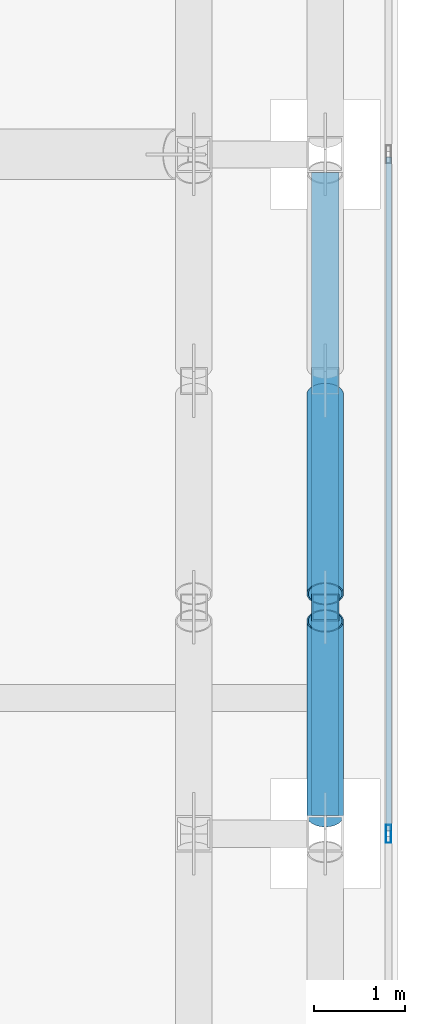
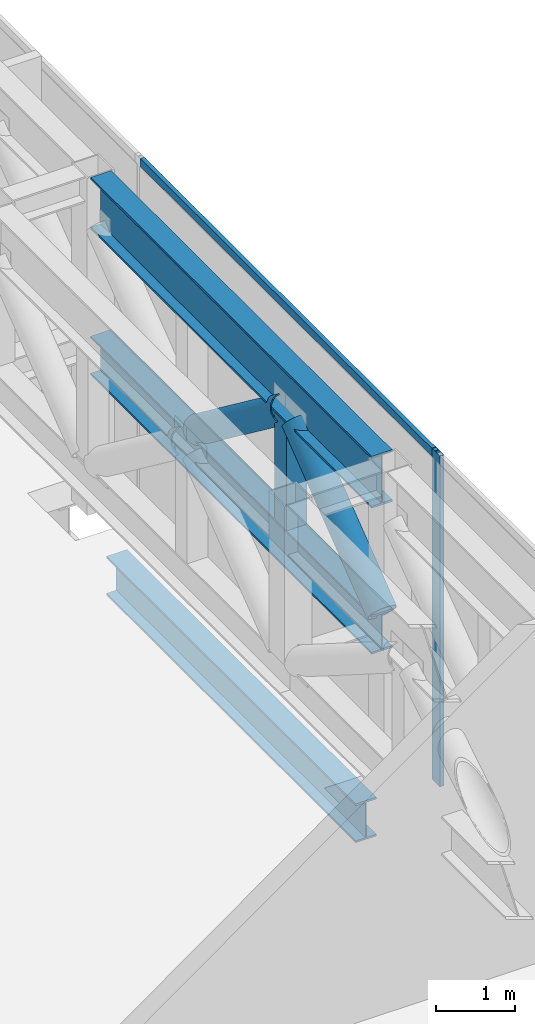
# One storey, part 12 of 39: 7 members, 1 beam, 1 element without a shape of its own.
"""IFC4 building model written with IfcOpenShell, lengths in metres."""

from ifc_helpers import new_model, si_unit, direction, frame, origin, origin_2d, place, context, subcontext, project, spatial, hollow_rectangle, hollow_circle, i_section, extrude, source, transform, mapped, material, material_profile, profile_set, type_object, element, aggregate, save


model = new_model("IFC4")

# Units and contexts
model_context = context("Model", 3, precision=1e-05, world=origin(), true_north=direction((0.0, 1.0)))
body_context = subcontext(model_context, "Body", "Model", "MODEL_VIEW")
ifc_project = project(units=[si_unit("LENGTHUNIT", "METRE"), si_unit("AREAUNIT", "SQUARE_METRE"), si_unit("VOLUMEUNIT", "CUBIC_METRE"), si_unit("PLANEANGLEUNIT", "RADIAN"), si_unit("MASSUNIT", "GRAM", prefix="KILO")], contexts=[model_context])

# Site, building, storey
site_placement = place(None, origin())
site = spatial("IfcSite", under=ifc_project, at=site_placement, CompositionType="ELEMENT")
building_placement = place(site_placement, origin())
building = spatial("IfcBuilding", under=site, at=building_placement, Name="Khomas Fold Tower", CompositionType="ELEMENT")
storey_placement = place(building_placement, frame((0.0, 0.0, 96.0)))
storey = spatial("IfcBuildingStorey", under=building, at=storey_placement, Name="L20", CompositionType="ELEMENT", Elevation=96.0)

# Beam
ifc_material_1 = material(Name="Steel S355", Category="steel")
ifc_material_profile_1 = material_profile(ifc_material_1, i_section(OverallWidth=0.300048828125, OverallDepth=0.60009765625, WebThickness=0.015380859375, FlangeThickness=0.030029296875, at=origin_2d()), Name="HE 600 B")
ifc_profile_set_1 = profile_set([ifc_material_profile_1], Name="Steel S355")
beam_type = type_object("IfcBeamType", Name="HE 600 B spandrel SB1", PredefinedType="SPANDREL", material=ifc_profile_set_1)
shared_shape_1 = source(origin(), body_context, "Body", "SweptSolid", [
    extrude(i_section(OverallWidth=0.300048828125, OverallDepth=0.60009765625, WebThickness=0.015380859375, FlangeThickness=0.030029296875, at=origin_2d()), origin(), (0.0, 0.0, 1.0), 6.2998046875),
])
beam_placement = place(storey_placement, frame((53.199951171875, 12.60009765625, -0.699951171875), z_axis=(0.0, 1.0, 0.0), x_axis=(-1.0, 0.0, 0.0)))
element("IfcBeam", 1, at=beam_placement, inside=storey, type_object=beam_type, Name="SB1", PredefinedType="SPANDREL", context=body_context, shape_type="MappedRepresentation", body=[
    mapped(shared_shape_1, transform((0.0, 0.0, 0.0))),
])

# Members
ifc_material_2 = material(Name="Steel S355", Category="steel")
ifc_material_profile_2 = material_profile(ifc_material_2, hollow_rectangle(XDim=0.300048828125, YDim=0.300048828125, WallThickness=0.01611328125, at=origin_2d()), Name="SHS 300x300x16")
ifc_profile_set_2 = profile_set([ifc_material_profile_2], Name="Steel S355")
member_type_1 = type_object("IfcMemberType", Name="BELT TRUSS 1 MID POST SHS 300x300x16", PredefinedType="POST", material=ifc_profile_set_2)
shared_shape_2 = source(origin(), body_context, "Body", "SweptSolid", [
    extrude(hollow_rectangle(XDim=0.300048828125, YDim=0.300048828125, WallThickness=0.01611328125, at=origin_2d()), origin(), (0.0, 0.0, 1.0), 1.64990234375),
])
member_1_placement = place(storey_placement, frame((53.199951171875, 14.5, 2.75), z_axis=(0.0, 0.0, 1.0), x_axis=(1.0, 0.0, 0.0)))
element("IfcMember", 2, at=member_1_placement, inside=storey, type_object=member_type_1, Name="BT1-M", PredefinedType="POST", context=body_context, shape_type="MappedRepresentation", body=[
    mapped(shared_shape_2, transform((0.0, 0.0, 0.0))),
])
ifc_material_3 = material(Name="Steel S460M", Category="steel")
ifc_material_profile_3 = material_profile(ifc_material_3, i_section(OverallWidth=0.300048828125, OverallDepth=0.800048828125, WebThickness=0.017578125, FlangeThickness=0.032958984375, at=origin_2d()), Name="HE 800 B")
ifc_profile_set_3 = profile_set([ifc_material_profile_3], Name="Steel S460M")
member_type_2 = type_object("IfcMemberType", Name="BELT TRUSS 1 TOP CHORD HE 800 B", PredefinedType="CHORD", material=ifc_profile_set_3)
shared_shape_3 = source(origin(), body_context, "Body", "SweptSolid", [
    extrude(i_section(OverallWidth=0.300048828125, OverallDepth=0.800048828125, WebThickness=0.017578125, FlangeThickness=0.032958984375, at=origin_2d()), origin(), (0.0, 0.0, 1.0), 7.10009765625),
])
member_2_placement = place(storey_placement, frame((53.199951171875, 12.199951171875, 4.800048828125), z_axis=(0.0, 1.0, 0.0), x_axis=(-1.0, 0.0, 0.0)))
element("IfcMember", 3, at=member_2_placement, inside=storey, type_object=member_type_2, Name="BT1-CT", PredefinedType="CHORD", context=body_context, shape_type="MappedRepresentation", body=[
    mapped(shared_shape_3, transform((0.0, 0.0, 0.0))),
])
ifc_material_4 = material(Name="Steel S355", Category="steel")
ifc_material_profile_4 = material_profile(ifc_material_4, i_section(OverallWidth=0.300048828125, OverallDepth=0.60009765625, WebThickness=0.015380859375, FlangeThickness=0.030029296875, at=origin_2d()), Name="HE 600 B")
ifc_profile_set_4 = profile_set([ifc_material_profile_4], Name="Steel S355")
member_type_3 = type_object("IfcMemberType", Name="BELT TRUSS 1 BOTTOM CHORD HE 600 B", PredefinedType="CHORD", material=ifc_profile_set_4)
shared_shape_4 = source(origin(), body_context, "Body", "SweptSolid", [
    extrude(i_section(OverallWidth=0.300048828125, OverallDepth=0.60009765625, WebThickness=0.015380859375, FlangeThickness=0.030029296875, at=origin_2d()), origin(), (0.0, 0.0, 1.0), 7.10009765625),
])
member_3_placement = place(storey_placement, frame((53.199951171875, 12.199951171875, 2.449951171875), z_axis=(0.0, 1.0, 0.0), x_axis=(-1.0, 0.0, 0.0)))
element("IfcMember", 4, at=member_3_placement, inside=storey, type_object=member_type_3, Name="BT1-CB", PredefinedType="CHORD", context=body_context, shape_type="MappedRepresentation", body=[
    mapped(shared_shape_4, transform((0.0, 0.0, 0.0))),
])
ifc_material_5 = material(Name="Steel S355", Category="steel")
ifc_material_profile_5 = material_profile(ifc_material_5, hollow_circle(Radius=0.203125, WallThickness=0.01611328125, at=origin_2d()), Name="CHS 406.4x16")
ifc_profile_set_5 = profile_set([ifc_material_profile_5], Name="Steel S355")
member_type_4 = type_object("IfcMemberType", Name="BELT TRUSS 1 DIAGONAL CHS 406.4x16", PredefinedType="BRACE", material=ifc_profile_set_5)
shared_shape_5 = source(origin(), body_context, "Body", "SweptSolid", [
    extrude(hollow_circle(Radius=0.203125, WallThickness=0.01611328125, at=origin_2d()), origin(), (0.0, 0.0, 1.0), 2.71630859375),
])
member_4_placement = place(storey_placement, frame((53.199951171875, 12.199951171875, 2.7451171875), z_axis=(0.0, 0.791563625226, 0.611086759159), x_axis=(-1.0, 0.0, 0.0)))
element("IfcMember", 5, at=member_4_placement, inside=storey, type_object=member_type_4, Name="BT1-D", PredefinedType="BRACE", context=body_context, shape_type="MappedRepresentation", body=[
    mapped(shared_shape_5, transform((0.0, 0.0, 0.0))),
])
shared_shape_6 = source(origin(), body_context, "Body", "SweptSolid", [
    extrude(hollow_circle(Radius=0.203125, WallThickness=0.01611328125, at=origin_2d()), origin(), (0.0, 0.0, 1.0), 2.756103515625),
])
member_5_placement = place(storey_placement, frame((53.199951171875, 14.64990234375, 4.405029296875), z_axis=(0.0, 0.798296022167, -0.602265274602), x_axis=(-1.0, 0.0, 0.0)))
element("IfcMember", 6, at=member_5_placement, inside=storey, type_object=member_type_4, Name="BT1-D", PredefinedType="BRACE", context=body_context, shape_type="MappedRepresentation", body=[
    mapped(shared_shape_6, transform((0.0, 0.0, 0.0))),
])

# Curtain wall, members
ifc_material_6 = material(Name="Aluminium framed double glazing", Category="aluminium")
curtain_wall_type = type_object("IfcCurtainWallType", Name="SK-Plant louvre wall CW4", PredefinedType="NOTDEFINED", material=ifc_material_6)
curtain_wall_placement = place(storey_placement, origin())
curtain_wall = element("IfcCurtainWall", 7, at=curtain_wall_placement, inside=storey, type_object=curtain_wall_type, Name="CW4 run L20 03-0", PredefinedType="NOTDEFINED")
ifc_material_7 = material(Name="Aluminium", Category="aluminium")
ifc_material_profile_6 = material_profile(ifc_material_7, hollow_rectangle(XDim=0.06005859375, YDim=0.199951171875, WallThickness=0.00390625, at=origin_2d()), Name="SK-Plant louvre wall mullion CW4-M")
ifc_profile_set_6 = profile_set([ifc_material_profile_6], Name="Aluminium")
member_type_5 = type_object("IfcMemberType", Name="SK-Plant louvre wall mullion CW4-M", PredefinedType="MULLION", material=ifc_profile_set_6)
shared_shape_7 = source(origin(), body_context, "Body", "SweptSolid", [
    extrude(hollow_rectangle(XDim=0.06005859375, YDim=0.199951171875, WallThickness=0.00390625, at=origin_2d()), origin(), (0.0, 0.0, 1.0), 5.10009765625),
])
member_6_placement = place(storey_placement, frame((53.89990234375, 12.0, 0.0), z_axis=(0.0, 0.0, 1.0), x_axis=(-1.0, 0.0, 0.0)))
member_6 = element("IfcMember", 8, at=member_6_placement, type_object=member_type_5, Name="CW4 mullion 3", PredefinedType="MULLION", context=body_context, shape_type="MappedRepresentation", body=[
    mapped(shared_shape_7, transform((0.0, 0.0, 0.0))),
])
ifc_material_8 = material(Name="Aluminium", Category="aluminium")
ifc_material_profile_7 = material_profile(ifc_material_8, hollow_rectangle(XDim=0.06005859375, YDim=0.1201171875, WallThickness=0.00390625, at=origin_2d()), Name="SK-Plant louvre wall transom CW4-T")
ifc_profile_set_7 = profile_set([ifc_material_profile_7], Name="Aluminium")
member_type_6 = type_object("IfcMemberType", Name="SK-Plant louvre wall transom CW4-T", PredefinedType="USERDEFINED", material=ifc_profile_set_7)
shared_shape_8 = source(origin(), body_context, "Body", "SweptSolid", [
    extrude(hollow_rectangle(XDim=0.06005859375, YDim=0.1201171875, WallThickness=0.00390625, at=origin_2d()), origin(), (0.0, 0.0, 1.0), 7.43994140625),
])
member_7_placement = place(storey_placement, frame((53.89990234375, 12.030029296875, 5.0400390625), z_axis=(0.0, 1.0, 0.0), x_axis=(-1.0, 0.0, 0.0)))
member_7 = element("IfcMember", 9, at=member_7_placement, type_object=member_type_6, Name="CW4 transom 3", ObjectType="TRANSOM", PredefinedType="USERDEFINED", context=body_context, shape_type="MappedRepresentation", body=[
    mapped(shared_shape_8, transform((0.0, 0.0, 0.0))),
])
aggregate(curtain_wall, [member_6, member_7])

save(model, "model.ifc")
